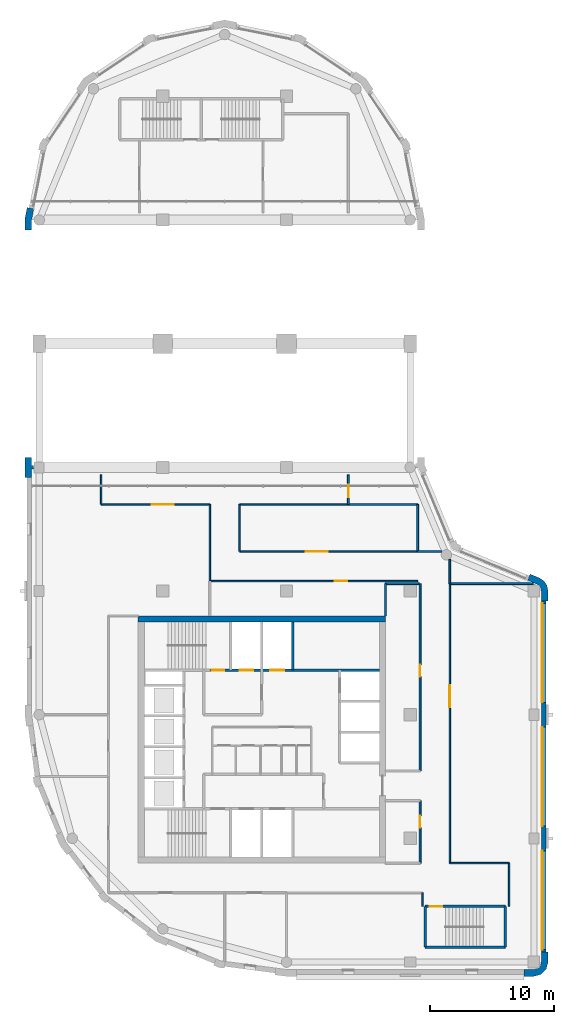
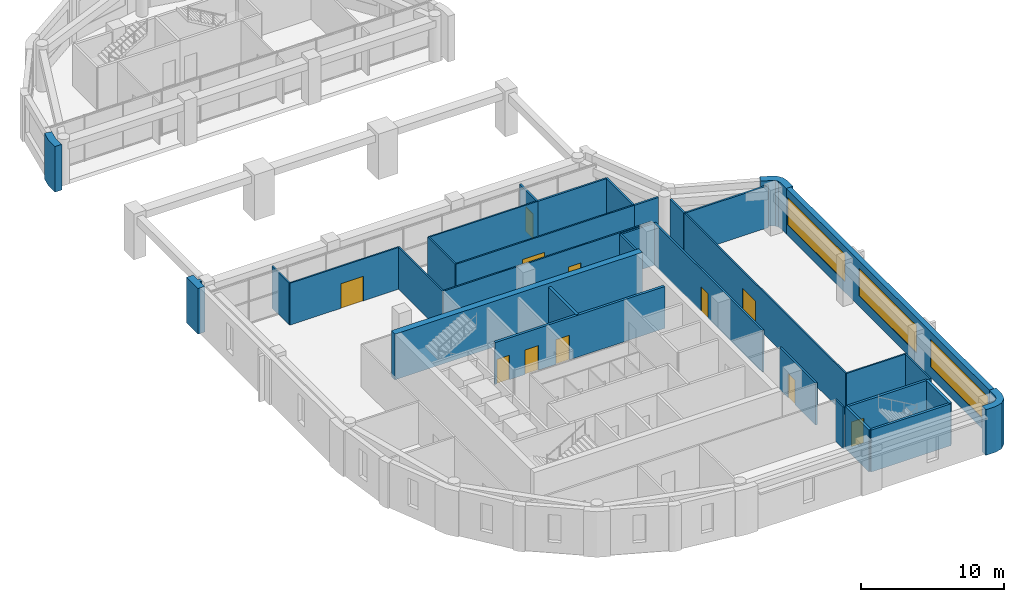
# One storey, part 7 of 11: 33 walls, 11 doors, 3 windows, 14 openings.
"""IFC4 building model written with IfcOpenShell, lengths in metres."""

from ifc_helpers import new_model, si_unit, direction, frame, frame_2d, origin, place, context, subcontext, project, spatial, polyline, rectangle, outline, extrude, material, layer, layer_set, type_object, element, fill, save


model = new_model("IFC4")

# Units and contexts
model_context = context("Model", 3, precision=1e-05, world=origin(), true_north=direction((0.0, 1.0)))
body_context = subcontext(model_context, "Body", "Model", "MODEL_VIEW")
ifc_project = project(units=[si_unit("LENGTHUNIT", "METRE"), si_unit("AREAUNIT", "SQUARE_METRE"), si_unit("VOLUMEUNIT", "CUBIC_METRE"), si_unit("PLANEANGLEUNIT", "RADIAN"), si_unit("MASSUNIT", "GRAM", prefix="KILO")], contexts=[model_context])

# Site, building, storey
site_placement = place(None, origin())
site = spatial("IfcSite", under=ifc_project, at=site_placement, CompositionType="ELEMENT")
building_placement = place(site_placement, origin())
building = spatial("IfcBuilding", under=site, at=building_placement, Name="Qaws Garden Tower", CompositionType="ELEMENT")
storey_placement = place(building_placement, frame((0.0, 0.0, 321.60009765625)))
storey = spatial("IfcBuildingStorey", under=building, at=storey_placement, Name="L78", CompositionType="ELEMENT", Elevation=321.60009765625)

# Walls
ifc_material_1 = material(Name="Clay facing brick masonry", Category="masonry")
ifc_layer_1 = layer(ifc_material_1, 0.550048828125)
ifc_layer_set_1 = layer_set([ifc_layer_1], Name="Clay facing brick masonry")
wall_type_1 = type_object("IfcWallType", Name="Brick corner pier 550 x 2400", PredefinedType="SOLIDWALL", material=ifc_layer_set_1)
placement = place(storey_placement, origin())
element("IfcWall", 1, at=placement, inside=storey, type_object=wall_type_1, Name="E-L78-pier-02", PredefinedType="SOLIDWALL", context=body_context, shape_type="SweptSolid", body=[
    extrude(outline(polyline([(39.199951171875, -1.0), (39.199951171875, -1.14990234375), (40.0, -1.14990234375), (40.574951171875, -0.995849609375), (40.995849609375, -0.574951171875), (41.14990234375, 0.0), (41.14990234375, 0.800048828125), (41.0, 0.800048828125), (40.60009765625, 0.800048828125), (40.60009765625, 0.0), (40.51953125, -0.300048828125), (40.300048828125, -0.51953125), (40.0, -0.60009765625), (39.199951171875, -0.60009765625), (39.199951171875, -1.0)])), origin(), (0.0, 0.0, 1.0), 3.89990234375),
])
element("IfcWall", 2, at=placement, inside=storey, type_object=wall_type_1, Name="E-L78-pier-05", PredefinedType="SOLIDWALL", context=body_context, shape_type="SweptSolid", body=[
    extrude(outline(polyline([(41.0, 29.199951171875), (41.14990234375, 29.199951171875), (41.14990234375, 30.0), (41.0625, 30.440185546875), (40.813232421875, 30.813232421875), (40.440185546875, 31.0625), (39.700927734375, 31.36865234375), (39.6435546875, 31.22998046875), (39.490478515625, 30.860595703125), (40.2294921875, 30.554443359375), (40.42431640625, 30.42431640625), (40.554443359375, 30.2294921875), (40.60009765625, 30.0), (40.60009765625, 29.199951171875), (41.0, 29.199951171875)])), origin(), (0.0, 0.0, 1.0), 3.89990234375),
])

# Wall, openings, windows
ifc_material_2 = material(Name="Clay facing brick masonry", Category="masonry")
ifc_layer_2 = layer(ifc_material_2, 0.39990234375)
ifc_layer_set_2 = layer_set([ifc_layer_2], Name="Clay facing brick masonry")
wall_type_2 = type_object("IfcWallType", Name="Brick infill wall 400", PredefinedType="SOLIDWALL", material=ifc_layer_set_2)
wall_3_placement = place(storey_placement, frame((40.800048828125, 0.800048828125, 0.0), z_axis=(0.0, 0.0, 1.0), x_axis=(0.0, 1.0, 0.0)))
wall_3 = element("IfcWall", 3, at=wall_3_placement, inside=storey, type_object=wall_type_2, Name="E-L78-infill-02", PredefinedType="SOLIDWALL", context=body_context, shape_type="SweptSolid", body=[
    extrude(rectangle(XDim=28.39990234375, YDim=0.39990234375, at=frame_2d((14.199951171875, 0.0))), origin(), (0.0, 0.0, 1.0), 3.89990234375),
])
opening_1_placement = place(wall_3_placement, frame((0.199951171875, 0.0, 0.89990234375)))
opening_1 = element("IfcOpeningElement", 4, at=opening_1_placement, cuts=wall_3, Name="Opening W01", PredefinedType="OPENING", context=body_context, shape_type="SweptSolid", body=[
    extrude(rectangle(XDim=8.0, YDim=2.35009765625, at=frame_2d((4.0, 1.175048828125))), frame((0.0, 0.2099609375, 0.0), z_axis=(0.0, -1.0, 0.0), x_axis=(1.0, 0.0, 0.0)), (0.0, 0.0, 1.0), 0.419921875),
])
opening_2_placement = place(wall_3_placement, frame((10.199951171875, 0.0, 0.89990234375)))
opening_2 = element("IfcOpeningElement", 5, at=opening_2_placement, cuts=wall_3, Name="Opening W01", PredefinedType="OPENING", context=body_context, shape_type="SweptSolid", body=[
    extrude(rectangle(XDim=8.0, YDim=2.35009765625, at=frame_2d((4.0, 1.175048828125))), frame((0.0, 0.2099609375, 0.0), z_axis=(0.0, -1.0, 0.0), x_axis=(1.0, 0.0, 0.0)), (0.0, 0.0, 1.0), 0.419921875),
])
opening_3_placement = place(wall_3_placement, frame((20.199951171875, 0.0, 0.89990234375)))
opening_3 = element("IfcOpeningElement", 6, at=opening_3_placement, cuts=wall_3, Name="Opening W01", PredefinedType="OPENING", context=body_context, shape_type="SweptSolid", body=[
    extrude(rectangle(XDim=8.0, YDim=2.35009765625, at=frame_2d((4.0, 1.175048828125))), frame((0.0, 0.2099609375, 0.0), z_axis=(0.0, -1.0, 0.0), x_axis=(1.0, 0.0, 0.0)), (0.0, 0.0, 1.0), 0.419921875),
])
ifc_material_3 = material(Name="Aluminium framed window, clear glazing", Category="aluminium")
window_type = type_object("IfcWindowType", Name="Ribbon window 8000 x 2350", PartitioningType="DOUBLE_PANEL_VERTICAL", PredefinedType="WINDOW", material=ifc_material_3)
window_1_placement = place(opening_1_placement, origin())
window_1 = element("IfcWindow", 7, at=window_1_placement, inside=storey, type_object=window_type, Name="E-L78-window-02-0", OverallHeight=2.35009765625, OverallWidth=8.0, PartitioningType="SINGLE_PANEL", PredefinedType="WINDOW", context=body_context, shape_type="SweptSolid", body=[
    extrude(rectangle(XDim=8.0, YDim=2.35009765625, at=frame_2d((4.0, 1.175048828125))), frame((0.0, 0.159912109375, 0.0), z_axis=(0.0, -1.0, 0.0), x_axis=(1.0, 0.0, 0.0)), (0.0, 0.0, 1.0), 0.06005859375),
])
fill(opening_1, window_1)
window_2_placement = place(opening_2_placement, origin())
window_2 = element("IfcWindow", 8, at=window_2_placement, inside=storey, type_object=window_type, Name="E-L78-window-03-0", OverallHeight=2.35009765625, OverallWidth=8.0, PartitioningType="SINGLE_PANEL", PredefinedType="WINDOW", context=body_context, shape_type="SweptSolid", body=[
    extrude(rectangle(XDim=8.0, YDim=2.35009765625, at=frame_2d((4.0, 1.175048828125))), frame((0.0, 0.159912109375, 0.0), z_axis=(0.0, -1.0, 0.0), x_axis=(1.0, 0.0, 0.0)), (0.0, 0.0, 1.0), 0.06005859375),
])
fill(opening_2, window_2)
window_3_placement = place(opening_3_placement, origin())
window_3 = element("IfcWindow", 9, at=window_3_placement, inside=storey, type_object=window_type, Name="E-L78-window-04-0", OverallHeight=2.35009765625, OverallWidth=8.0, PartitioningType="SINGLE_PANEL", PredefinedType="WINDOW", context=body_context, shape_type="SweptSolid", body=[
    extrude(rectangle(XDim=8.0, YDim=2.35009765625, at=frame_2d((4.0, 1.175048828125))), frame((0.0, 0.159912109375, 0.0), z_axis=(0.0, -1.0, 0.0), x_axis=(1.0, 0.0, 0.0)), (0.0, 0.0, 1.0), 0.06005859375),
])
fill(opening_3, window_3)

# Walls
ifc_material_4 = material(Name="Clay facing brick masonry", Category="masonry")
ifc_layer_3 = layer(ifc_material_4, 0.550048828125)
ifc_layer_set_3 = layer_set([ifc_layer_3], Name="Clay facing brick masonry")
wall_type_3 = type_object("IfcWallType", Name="Brick pier 550 x 1600", PredefinedType="SOLIDWALL", material=ifc_layer_set_3)
element("IfcWall", 10, at=placement, inside=storey, type_object=wall_type_3, Name="E-L78-pier-17", PredefinedType="SOLIDWALL", context=body_context, shape_type="SweptSolid", body=[
    extrude(outline(polyline([(-0.82470703125, 60.979736328125), (-0.971923828125, 61.009033203125), (-1.14990234375, 60.11328125), (-1.14990234375, 59.199951171875), (-1.0, 59.199951171875), (-0.60009765625, 59.199951171875), (-0.60009765625, 60.05908203125), (-0.432373046875, 60.901611328125), (-0.82470703125, 60.979736328125)])), origin(), (0.0, 0.0, 1.0), 3.89990234375),
])
element("IfcWall", 11, at=placement, inside=storey, type_object=wall_type_3, Name="E-L78-pier-19", PredefinedType="SOLIDWALL", context=body_context, shape_type="SweptSolid", body=[
    extrude(outline(polyline([(-0.60009765625, 39.199951171875), (-0.60009765625, 39.85009765625), (-0.449951171875, 39.85009765625), (-0.449951171875, 40.14990234375), (-0.60009765625, 40.14990234375), (-0.60009765625, 40.800048828125), (-1.0, 40.800048828125), (-1.14990234375, 40.800048828125), (-1.14990234375, 40.0), (-1.14990234375, 39.199951171875), (-1.0, 39.199951171875), (-0.60009765625, 39.199951171875)])), origin(), (0.0, 0.0, 1.0), 3.89990234375),
])
ifc_material_5 = material(Name="Concrete C60", Category="concrete")
ifc_layer_4 = layer(ifc_material_5, 0.199951171875)
ifc_layer_set_4 = layer_set([ifc_layer_4], Name="Concrete C60")
wall_type_4 = type_object("IfcWallType", Name="Core shaft wall 200 C60", PredefinedType="SHEAR", material=ifc_layer_set_4)
wall_6_placement = place(storey_placement, frame((31.199951171875, 1.199951171875, 0.0), z_axis=(0.0, 0.0, 1.0), x_axis=(1.0, 0.0, 0.0)))
element("IfcWall", 12, at=wall_6_placement, inside=storey, type_object=wall_type_4, Name="Shaft wall", PredefinedType="SHEAR", context=body_context, shape_type="SweptSolid", body=[
    extrude(rectangle(XDim=6.5, YDim=0.199951171875, at=frame_2d((3.25, 0.0))), origin(), (0.0, 0.0, 1.0), 3.579833984375),
])

# Wall, opening, door
wall_7_placement = place(storey_placement, frame((31.199951171875, 4.5, 0.0), z_axis=(0.0, 0.0, 1.0), x_axis=(1.0, 0.0, 0.0)))
wall_7 = element("IfcWall", 13, at=wall_7_placement, inside=storey, type_object=wall_type_4, Name="Shaft wall", PredefinedType="SHEAR", context=body_context, shape_type="SweptSolid", body=[
    extrude(rectangle(XDim=6.5, YDim=0.199951171875, at=frame_2d((3.25, 0.0))), origin(), (0.0, 0.0, 1.0), 3.579833984375),
])
opening_4_placement = place(wall_7_placement, frame((0.375, 0.0, 0.0)))
opening_4 = element("IfcOpeningElement", 14, at=opening_4_placement, cuts=wall_7, Name="Opening SD12", PredefinedType="OPENING", context=body_context, shape_type="SweptSolid", body=[
    extrude(rectangle(XDim=1.0, YDim=2.10009765625, at=frame_2d((0.5, 1.050048828125))), frame((0.0, 0.10986328125, 0.0), z_axis=(0.0, -1.0, 0.0), x_axis=(1.0, 0.0, 0.0)), (0.0, 0.0, 1.0), 0.219970703125),
])
ifc_material_6 = material(Name="Steel S235", Category="steel")
door_type_1 = type_object("IfcDoorType", Name="Stair door 1000x2100", OperationType="SINGLE_SWING_RIGHT", PredefinedType="DOOR", material=ifc_material_6)
door_1_placement = place(opening_4_placement, frame((1.0, 0.0, 0.0), z_axis=(0.0, 0.0, 1.0), x_axis=(-1.0, 0.0, 0.0)))
door_1 = element("IfcDoor", 15, at=door_1_placement, inside=storey, type_object=door_type_1, Name="Stair 5 door", OperationType="SINGLE_SWING_RIGHT", OverallHeight=2.10009765625, OverallWidth=1.0, PredefinedType="DOOR", context=body_context, shape_type="SweptSolid", body=[
    extrude(rectangle(XDim=1.0, YDim=2.10009765625, at=frame_2d((0.5, 1.050048828125))), frame((0.0, 0.02490234375, 0.0), z_axis=(0.0, -1.0, 0.0), x_axis=(1.0, 0.0, 0.0)), (0.0, 0.0, 1.0), 0.050048828125),
])
fill(opening_4, door_1)

# Wall, openings, doors
wall_8_placement = place(storey_placement, frame((13.800048828125, 23.60009765625, 0.0), z_axis=(0.0, 0.0, 1.0), x_axis=(1.0, 0.0, 0.0)))
wall_8 = element("IfcWall", 16, at=wall_8_placement, inside=storey, type_object=wall_type_4, Name="Shaft wall", PredefinedType="SHEAR", context=body_context, shape_type="SweptSolid", body=[
    extrude(rectangle(XDim=13.699951171875, YDim=0.199951171875, at=frame_2d((6.85009765625, 0.0))), origin(), (0.0, 0.0, 1.0), 3.579833984375),
])
opening_5_placement = place(wall_8_placement, frame((2.39990234375, 0.0, 0.0)))
opening_5 = element("IfcOpeningElement", 17, at=opening_5_placement, cuts=wall_8, Name="Opening LD08", PredefinedType="OPENING", context=body_context, shape_type="SweptSolid", body=[
    extrude(rectangle(XDim=1.10009765625, YDim=2.10009765625, at=frame_2d((0.550048828125, 1.050048828125))), frame((0.0, 0.10986328125, 0.0), z_axis=(0.0, -1.0, 0.0), x_axis=(1.0, 0.0, 0.0)), (0.0, 0.0, 1.0), 0.219970703125),
])
opening_6_placement = place(wall_8_placement, frame((4.89990234375, 0.0, 0.0)))
opening_6 = element("IfcOpeningElement", 18, at=opening_6_placement, cuts=wall_8, Name="Opening LD09", PredefinedType="OPENING", context=body_context, shape_type="SweptSolid", body=[
    extrude(rectangle(XDim=1.10009765625, YDim=2.10009765625, at=frame_2d((0.550048828125, 1.050048828125))), frame((0.0, 0.10986328125, 0.0), z_axis=(0.0, -1.0, 0.0), x_axis=(1.0, 0.0, 0.0)), (0.0, 0.0, 1.0), 0.219970703125),
])
opening_7_placement = place(wall_8_placement, frame((0.14990234375, 0.0, 0.0)))
opening_7 = element("IfcOpeningElement", 19, at=opening_7_placement, cuts=wall_8, Name="Opening SD11", PredefinedType="OPENING", context=body_context, shape_type="SweptSolid", body=[
    extrude(rectangle(XDim=1.0, YDim=2.10009765625, at=frame_2d((0.5, 1.050048828125))), frame((0.0, 0.10986328125, 0.0), z_axis=(0.0, -1.0, 0.0), x_axis=(1.0, 0.0, 0.0)), (0.0, 0.0, 1.0), 0.219970703125),
])
ifc_material_7 = material(Name="Steel S235", Category="steel")
door_type_2 = type_object("IfcDoorType", Name="Landing door 1100x2100", OperationType="DOUBLE_DOOR_SLIDING", PredefinedType="DOOR", material=ifc_material_7)
door_2_placement = place(opening_5_placement, origin())
door_2 = element("IfcDoor", 20, at=door_2_placement, inside=storey, type_object=door_type_2, Name="Lift FF3 landing door", OperationType="DOUBLE_DOOR_SLIDING", OverallHeight=2.10009765625, OverallWidth=1.10009765625, PredefinedType="DOOR", context=body_context, shape_type="SweptSolid", body=[
    extrude(rectangle(XDim=1.10009765625, YDim=2.10009765625, at=frame_2d((0.550048828125, 1.050048828125))), frame((0.0, 0.02490234375, 0.0), z_axis=(0.0, -1.0, 0.0), x_axis=(1.0, 0.0, 0.0)), (0.0, 0.0, 1.0), 0.050048828125),
])
fill(opening_5, door_2)
door_3_placement = place(opening_6_placement, origin())
door_3 = element("IfcDoor", 21, at=door_3_placement, inside=storey, type_object=door_type_2, Name="Lift SV2 landing door", OperationType="DOUBLE_DOOR_SLIDING", OverallHeight=2.10009765625, OverallWidth=1.10009765625, PredefinedType="DOOR", context=body_context, shape_type="SweptSolid", body=[
    extrude(rectangle(XDim=1.10009765625, YDim=2.10009765625, at=frame_2d((0.550048828125, 1.050048828125))), frame((0.0, 0.02490234375, 0.0), z_axis=(0.0, -1.0, 0.0), x_axis=(1.0, 0.0, 0.0)), (0.0, 0.0, 1.0), 0.050048828125),
])
fill(opening_6, door_3)
door_4_placement = place(opening_7_placement, origin())
door_4 = element("IfcDoor", 22, at=door_4_placement, inside=storey, type_object=door_type_1, Name="Stair 4 door", OperationType="SINGLE_SWING_RIGHT", OverallHeight=2.10009765625, OverallWidth=1.0, PredefinedType="DOOR", context=body_context, shape_type="SweptSolid", body=[
    extrude(rectangle(XDim=1.0, YDim=2.10009765625, at=frame_2d((0.5, 1.050048828125))), frame((0.0, 0.02490234375, 0.0), z_axis=(0.0, -1.0, 0.0), x_axis=(1.0, 0.0, 0.0)), (0.0, 0.0, 1.0), 0.050048828125),
])
fill(opening_7, door_4)

# Walls
wall_9_placement = place(storey_placement, frame((20.5, 23.60009765625, 0.0), z_axis=(0.0, 0.0, 1.0), x_axis=(0.0, 1.0, 0.0)))
element("IfcWall", 23, at=wall_9_placement, inside=storey, type_object=wall_type_4, Name="Shaft wall", PredefinedType="SHEAR", context=body_context, shape_type="SweptSolid", body=[
    extrude(rectangle(XDim=3.89990234375, YDim=0.199951171875, at=frame_2d((1.949951171875, 0.0))), origin(), (0.0, 0.0, 1.0), 3.579833984375),
])
for number, where, z_axis, x_axis, name in (
    (24, (31.199951171875, 1.199951171875, 0.0), (0.0, 0.0, 1.0), (0.0, 1.0, 0.0), "Shaft wall"),
    (25, (37.699951171875, 1.199951171875, 0.0), (0.0, 0.0, 1.0), (0.0, 1.0, 0.0), "Shaft wall"),
):
    element("IfcWall", number, at=place(storey_placement, frame(where, z_axis=z_axis, x_axis=x_axis)), inside=storey, type_object=wall_type_4, Name=name, PredefinedType="SHEAR", context=body_context, shape_type="SweptSolid", body=[
        extrude(rectangle(XDim=3.300048828125, YDim=0.199951171875, at=frame_2d((1.64990234375, 0.0))), origin(), (0.0, 0.0, 1.0), 3.579833984375),
    ])
ifc_material_8 = material(Name="Concrete C60", Category="concrete")
ifc_layer_5 = layer(ifc_material_8, 0.5)
ifc_layer_set_5 = layer_set([ifc_layer_5], Name="Concrete C60")
wall_type_5 = type_object("IfcWallType", Name="Core wall 500 C60", PredefinedType="SHEAR", material=ifc_layer_set_5)
wall_10_placement = place(storey_placement, frame((28.0, 27.75, 0.0), z_axis=(0.0, 0.0, 1.0), x_axis=(-1.0, 0.0, 0.0)))
element("IfcWall", 26, at=wall_10_placement, inside=storey, type_object=wall_type_5, Name="Core wall L78 north", PredefinedType="SHEAR", context=body_context, shape_type="SweptSolid", body=[
    extrude(rectangle(XDim=20.0, YDim=0.5, at=frame_2d((10.0, 0.0))), origin(), (0.0, 0.0, 1.0), 3.89990234375),
])
ifc_material_9 = material(Name="Glass and aluminium framing", Category="aluminium")
ifc_layer_6 = layer(ifc_material_9, 0.1201171875)
ifc_layer_set_6 = layer_set([ifc_layer_6], Name="Glass and aluminium framing")
wall_type_6 = type_object("IfcWallType", Name="GLAZED PARTITION 120 EI 30", PredefinedType="PARTITIONING", material=ifc_layer_set_6)
wall_11_placement = place(storey_placement, frame((5.0, 37.0, 0.0), z_axis=(0.0, 0.0, 1.0), x_axis=(0.0, 1.0, 0.0)))
element("IfcWall", 27, at=wall_11_placement, inside=storey, type_object=wall_type_6, Name="O-L78-wall-023", PredefinedType="PARTITIONING", context=body_context, shape_type="SweptSolid", body=[
    extrude(rectangle(XDim=2.39990234375, YDim=0.1201171875, at=frame_2d((1.199951171875, 0.0))), origin(), (0.0, 0.0, 1.0), 3.579833984375),
])
wall_12_placement = place(storey_placement, frame((13.800048828125, 30.800048828125, 0.0), z_axis=(0.0, 0.0, 1.0), x_axis=(0.0, 1.0, 0.0)))
element("IfcWall", 28, at=wall_12_placement, inside=storey, type_object=wall_type_6, Name="O-L78-wall-027", PredefinedType="PARTITIONING", context=body_context, shape_type="SweptSolid", body=[
    extrude(rectangle(XDim=6.199951171875, YDim=0.1201171875, at=frame_2d((3.10009765625, 0.0))), origin(), (0.0, 0.0, 1.0), 3.579833984375),
])
wall_13_placement = place(storey_placement, frame((16.199951171875, 33.199951171875, 0.0), z_axis=(0.0, 0.0, 1.0), x_axis=(0.0, 1.0, 0.0)))
element("IfcWall", 29, at=wall_13_placement, inside=storey, type_object=wall_type_6, Name="O-L78-wall-028", PredefinedType="PARTITIONING", context=body_context, shape_type="SweptSolid", body=[
    extrude(rectangle(XDim=3.800048828125, YDim=0.1201171875, at=frame_2d((1.89990234375, 0.0))), origin(), (0.0, 0.0, 1.0), 3.579833984375),
])
wall_14_placement = place(storey_placement, frame((31.0, 4.5, 0.0), z_axis=(0.0, 0.0, 1.0), x_axis=(0.0, 1.0, 0.0)))
element("IfcWall", 30, at=wall_14_placement, inside=storey, type_object=wall_type_6, Name="O-L78-wall-030", PredefinedType="PARTITIONING", context=body_context, shape_type="SweptSolid", body=[
    extrude(rectangle(XDim=1.10009765625, YDim=0.1201171875, at=frame_2d((0.550048828125, 0.0))), origin(), (0.0, 0.0, 1.0), 3.579833984375),
])

# Wall, opening, door
wall_15_placement = place(storey_placement, frame((33.199951171875, 8.0, 0.0), z_axis=(0.0, 0.0, 1.0), x_axis=(0.0, 1.0, 0.0)))
wall_15 = element("IfcWall", 31, at=wall_15_placement, inside=storey, type_object=wall_type_6, Name="O-L78-wall-031", PredefinedType="PARTITIONING", context=body_context, shape_type="SweptSolid", body=[
    extrude(rectangle(XDim=22.60009765625, YDim=0.1201171875, at=frame_2d((11.300048828125, 0.0))), origin(), (0.0, 0.0, 1.0), 3.579833984375),
])
opening_8_placement = place(wall_15_placement, frame((12.60009765625, 0.0, 0.0)))
opening_8 = element("IfcOpeningElement", 32, at=opening_8_placement, cuts=wall_15, Name="Opening C809", PredefinedType="OPENING", context=body_context, shape_type="SweptSolid", body=[
    extrude(rectangle(XDim=1.800048828125, YDim=2.10009765625, at=frame_2d((0.89990234375, 1.050048828125))), frame((0.0, 0.070068359375, 0.0), z_axis=(0.0, -1.0, 0.0), x_axis=(1.0, 0.0, 0.0)), (0.0, 0.0, 1.0), 0.14013671875),
])
ifc_material_10 = material(Name="Timber door leaf", Category="wood")
door_type_3 = type_object("IfcDoorType", Name="DOUBLE DOOR 1800 X 2100", OperationType="DOUBLE_DOOR_SINGLE_SWING", PredefinedType="DOOR", material=ifc_material_10)
door_5_placement = place(opening_8_placement, frame((1.800048828125, 0.0, 0.0), z_axis=(0.0, 0.0, 1.0), x_axis=(-1.0, 0.0, 0.0)))
door_5 = element("IfcDoor", 33, at=door_5_placement, inside=storey, type_object=door_type_3, Name="O-L78-door-009", OperationType="DOUBLE_DOOR_SINGLE_SWING", OverallHeight=2.10009765625, OverallWidth=1.800048828125, PredefinedType="DOOR", context=body_context, shape_type="SweptSolid", body=[
    extrude(rectangle(XDim=1.800048828125, YDim=2.10009765625, at=frame_2d((0.89990234375, 1.050048828125))), frame((0.0, 0.02490234375, 0.0), z_axis=(0.0, -1.0, 0.0), x_axis=(1.0, 0.0, 0.0)), (0.0, 0.0, 1.0), 0.050048828125),
])
fill(opening_8, door_5)

# Walls
wall_16_placement = place(storey_placement, frame((38.0, 4.5, 0.0), z_axis=(0.0, 0.0, 1.0), x_axis=(0.0, 1.0, 0.0)))
element("IfcWall", 34, at=wall_16_placement, inside=storey, type_object=wall_type_6, Name="O-L78-wall-032", PredefinedType="PARTITIONING", context=body_context, shape_type="SweptSolid", body=[
    extrude(rectangle(XDim=3.5, YDim=0.1201171875, at=frame_2d((1.75, 0.0))), origin(), (0.0, 0.0, 1.0), 3.579833984375),
])
wall_17_placement = place(storey_placement, frame((33.199951171875, 8.0, 0.0), z_axis=(0.0, 0.0, 1.0), x_axis=(1.0, 0.0, 0.0)))
element("IfcWall", 35, at=wall_17_placement, inside=storey, type_object=wall_type_6, Name="O-L78-wall-034", PredefinedType="PARTITIONING", context=body_context, shape_type="SweptSolid", body=[
    extrude(rectangle(XDim=4.800048828125, YDim=0.1201171875, at=frame_2d((2.39990234375, 0.0))), origin(), (0.0, 0.0, 1.0), 3.579833984375),
])

# Wall, opening, door
wall_18_placement = place(storey_placement, frame((13.802001953125, 30.800048828125, 0.0), z_axis=(0.0, 0.0, 1.0), x_axis=(1.0, 0.0, 0.0)))
wall_18 = element("IfcWall", 36, at=wall_18_placement, inside=storey, type_object=wall_type_6, Name="O-L78-wall-036", PredefinedType="PARTITIONING", context=body_context, shape_type="SweptSolid", body=[
    extrude(rectangle(XDim=16.798095703125, YDim=0.1201171875, at=frame_2d((8.39892578125, 0.0))), origin(), (0.0, 0.0, 1.0), 3.579833984375),
])
opening_9_placement = place(wall_18_placement, frame((10.10009765625, 0.0, 0.0)))
opening_9 = element("IfcOpeningElement", 37, at=opening_9_placement, cuts=wall_18, Name="Opening C805", PredefinedType="OPENING", context=body_context, shape_type="SweptSolid", body=[
    extrude(rectangle(XDim=1.0, YDim=2.10009765625, at=frame_2d((0.5, 1.050048828125))), frame((0.0, 0.070068359375, 0.0), z_axis=(0.0, -1.0, 0.0), x_axis=(1.0, 0.0, 0.0)), (0.0, 0.0, 1.0), 0.14013671875),
])
ifc_material_11 = material(Name="Timber door leaf", Category="wood")
door_type_4 = type_object("IfcDoorType", Name="TENANCY ENTRANCE DOOR 1000 X 2100", OperationType="SINGLE_SWING_LEFT", PredefinedType="DOOR", material=ifc_material_11)
door_6_placement = place(opening_9_placement, frame((1.0, 0.0, 0.0), z_axis=(0.0, 0.0, 1.0), x_axis=(-1.0, 0.0, 0.0)))
door_6 = element("IfcDoor", 38, at=door_6_placement, inside=storey, type_object=door_type_4, Name="O-L78-door-005", OperationType="SINGLE_SWING_LEFT", OverallHeight=2.10009765625, OverallWidth=1.0, PredefinedType="DOOR", context=body_context, shape_type="SweptSolid", body=[
    extrude(rectangle(XDim=1.0, YDim=2.10009765625, at=frame_2d((0.5, 1.050048828125))), frame((0.0, 0.02490234375, 0.0), z_axis=(0.0, -1.0, 0.0), x_axis=(1.0, 0.0, 0.0)), (0.0, 0.0, 1.0), 0.050048828125),
])
fill(opening_9, door_6)

wall_19_placement = place(storey_placement, frame((16.199951171875, 33.199951171875, 0.0), z_axis=(0.0, 0.0, 1.0), x_axis=(1.0, 0.0, 0.0)))
wall_19 = element("IfcWall", 39, at=wall_19_placement, inside=storey, type_object=wall_type_6, Name="O-L78-wall-037", PredefinedType="PARTITIONING", context=body_context, shape_type="SweptSolid", body=[
    extrude(rectangle(XDim=14.400146484375, YDim=0.1201171875, at=frame_2d((7.2001953125, 0.0))), origin(), (0.0, 0.0, 1.0), 3.579833984375),
])
opening_10_placement = place(wall_19_placement, frame((5.35009765625, 0.0, 0.0)))
opening_10 = element("IfcOpeningElement", 40, at=opening_10_placement, cuts=wall_19, Name="Opening C812", PredefinedType="OPENING", context=body_context, shape_type="SweptSolid", body=[
    extrude(rectangle(XDim=1.800048828125, YDim=2.10009765625, at=frame_2d((0.89990234375, 1.050048828125))), frame((0.0, 0.070068359375, 0.0), z_axis=(0.0, -1.0, 0.0), x_axis=(1.0, 0.0, 0.0)), (0.0, 0.0, 1.0), 0.14013671875),
])
door_7_placement = place(opening_10_placement, origin())
door_7 = element("IfcDoor", 41, at=door_7_placement, inside=storey, type_object=door_type_3, Name="O-L78-door-012", OperationType="DOUBLE_DOOR_SINGLE_SWING", OverallHeight=2.10009765625, OverallWidth=1.800048828125, PredefinedType="DOOR", context=body_context, shape_type="SweptSolid", body=[
    extrude(rectangle(XDim=1.800048828125, YDim=2.10009765625, at=frame_2d((0.89990234375, 1.050048828125))), frame((0.0, 0.02490234375, 0.0), z_axis=(0.0, -1.0, 0.0), x_axis=(1.0, 0.0, 0.0)), (0.0, 0.0, 1.0), 0.050048828125),
])
fill(opening_10, door_7)

wall_20_placement = place(storey_placement, frame((5.0, 37.0, 0.0), z_axis=(0.0, 0.0, 1.0), x_axis=(1.0, 0.0, 0.0)))
wall_20 = element("IfcWall", 42, at=wall_20_placement, inside=storey, type_object=wall_type_6, Name="O-L78-wall-038", PredefinedType="PARTITIONING", context=body_context, shape_type="SweptSolid", body=[
    extrude(rectangle(XDim=8.800048828125, YDim=0.1201171875, at=frame_2d((4.39990234375, 0.0))), origin(), (0.0, 0.0, 1.0), 3.579833984375),
])
opening_11_placement = place(wall_20_placement, frame((4.10009765625, 0.0, 0.0)))
opening_11 = element("IfcOpeningElement", 43, at=opening_11_placement, cuts=wall_20, Name="Opening C811", PredefinedType="OPENING", context=body_context, shape_type="SweptSolid", body=[
    extrude(rectangle(XDim=1.800048828125, YDim=2.10009765625, at=frame_2d((0.89990234375, 1.050048828125))), frame((0.0, 0.070068359375, 0.0), z_axis=(0.0, -1.0, 0.0), x_axis=(1.0, 0.0, 0.0)), (0.0, 0.0, 1.0), 0.14013671875),
])
door_8_placement = place(opening_11_placement, frame((1.800048828125, 0.0, 0.0), z_axis=(0.0, 0.0, 1.0), x_axis=(-1.0, 0.0, 0.0)))
door_8 = element("IfcDoor", 44, at=door_8_placement, inside=storey, type_object=door_type_3, Name="O-L78-door-011", OperationType="DOUBLE_DOOR_SINGLE_SWING", OverallHeight=2.10009765625, OverallWidth=1.800048828125, PredefinedType="DOOR", context=body_context, shape_type="SweptSolid", body=[
    extrude(rectangle(XDim=1.800048828125, YDim=2.10009765625, at=frame_2d((0.89990234375, 1.050048828125))), frame((0.0, 0.02490234375, 0.0), z_axis=(0.0, -1.0, 0.0), x_axis=(1.0, 0.0, 0.0)), (0.0, 0.0, 1.0), 0.050048828125),
])
fill(opening_11, door_8)

# Wall
wall_21_placement = place(storey_placement, frame((16.199951171875, 37.0, 0.0), z_axis=(0.0, 0.0, 1.0), x_axis=(1.0, 0.0, 0.0)))
element("IfcWall", 45, at=wall_21_placement, inside=storey, type_object=wall_type_6, Name="O-L78-wall-039", PredefinedType="PARTITIONING", context=body_context, shape_type="SweptSolid", body=[
    extrude(rectangle(XDim=8.800048828125, YDim=0.1201171875, at=frame_2d((4.39990234375, 0.0))), origin(), (0.0, 0.0, 1.0), 3.579833984375),
])

# Wall, opening, door
ifc_material_12 = material(Name="Gypsum board partition")
ifc_layer_7 = layer(ifc_material_12, 0.14990234375)
ifc_layer_set_7 = layer_set([ifc_layer_7], Name="Gypsum board partition")
wall_type_7 = type_object("IfcWallType", Name="PARTITION 150 EI 60", PredefinedType="PARTITIONING", material=ifc_layer_set_7)
wall_22_placement = place(storey_placement, frame((25.0, 37.0, 0.0), z_axis=(0.0, 0.0, 1.0), x_axis=(0.0, 1.0, 0.0)))
wall_22 = element("IfcWall", 46, at=wall_22_placement, inside=storey, type_object=wall_type_7, Name="O-L78-wall-005", PredefinedType="PARTITIONING", context=body_context, shape_type="SweptSolid", body=[
    extrude(rectangle(XDim=2.39990234375, YDim=0.14990234375, at=frame_2d((1.199951171875, 0.0))), origin(), (0.0, 0.0, 1.0), 3.579833984375),
])
opening_12_placement = place(wall_22_placement, frame((0.60009765625, 0.0, 0.0)))
opening_12 = element("IfcOpeningElement", 47, at=opening_12_placement, cuts=wall_22, Name="Opening C804", PredefinedType="OPENING", context=body_context, shape_type="SweptSolid", body=[
    extrude(rectangle(XDim=1.0, YDim=2.10009765625, at=frame_2d((0.5, 1.050048828125))), frame((0.0, 0.0849609375, 0.0), z_axis=(0.0, -1.0, 0.0), x_axis=(1.0, 0.0, 0.0)), (0.0, 0.0, 1.0), 0.169921875),
])
door_9_placement = place(opening_12_placement, frame((1.0, 0.0, 0.0), z_axis=(0.0, 0.0, 1.0), x_axis=(-1.0, 0.0, 0.0)))
door_9 = element("IfcDoor", 48, at=door_9_placement, inside=storey, type_object=door_type_4, Name="O-L78-door-004", OperationType="SINGLE_SWING_RIGHT", OverallHeight=2.10009765625, OverallWidth=1.0, PredefinedType="DOOR", context=body_context, shape_type="SweptSolid", body=[
    extrude(rectangle(XDim=1.0, YDim=2.10009765625, at=frame_2d((0.5, 1.050048828125))), frame((0.0, 0.02490234375, 0.0), z_axis=(0.0, -1.0, 0.0), x_axis=(1.0, 0.0, 0.0)), (0.0, 0.0, 1.0), 0.050048828125),
])
fill(opening_12, door_9)

# Walls
wall_23_placement = place(storey_placement, frame((28.0, 28.0, 0.0), z_axis=(0.0, 0.0, 1.0), x_axis=(0.0, 1.0, 0.0)))
element("IfcWall", 49, at=wall_23_placement, inside=storey, type_object=wall_type_7, Name="O-L78-wall-007", PredefinedType="PARTITIONING", context=body_context, shape_type="SweptSolid", body=[
    extrude(rectangle(XDim=2.597900390625, YDim=0.14990234375, at=frame_2d((1.298828125, 0.0))), origin(), (0.0, 0.0, 1.0), 3.579833984375),
])
wall_24_placement = place(storey_placement, frame((30.60009765625, 33.199951171875, 0.0), z_axis=(0.0, 0.0, 1.0), x_axis=(0.0, 1.0, 0.0)))
element("IfcWall", 50, at=wall_24_placement, inside=storey, type_object=wall_type_7, Name="O-L78-wall-008", PredefinedType="PARTITIONING", context=body_context, shape_type="SweptSolid", body=[
    extrude(rectangle(XDim=3.800048828125, YDim=0.14990234375, at=frame_2d((1.89990234375, 0.0))), origin(), (0.0, 0.0, 1.0), 3.579833984375),
])

# Wall, opening, door
wall_25_placement = place(storey_placement, frame((30.800048828125, 8.0, 0.0), z_axis=(0.0, 0.0, 1.0), x_axis=(0.0, 1.0, 0.0)))
wall_25 = element("IfcWall", 51, at=wall_25_placement, inside=storey, type_object=wall_type_7, Name="O-L78-wall-009", PredefinedType="PARTITIONING", context=body_context, shape_type="SweptSolid", body=[
    extrude(rectangle(XDim=5.050048828125, YDim=0.14990234375, at=frame_2d((2.52490234375, 0.0))), origin(), (0.0, 0.0, 1.0), 3.579833984375),
])
opening_13_placement = place(wall_25_placement, frame((2.85009765625, 0.0, 0.0)))
opening_13 = element("IfcOpeningElement", 52, at=opening_13_placement, cuts=wall_25, Name="Opening C810", PredefinedType="OPENING", context=body_context, shape_type="SweptSolid", body=[
    extrude(rectangle(XDim=1.0, YDim=2.10009765625, at=frame_2d((0.5, 1.050048828125))), frame((0.0, 0.0849609375, 0.0), z_axis=(0.0, -1.0, 0.0), x_axis=(1.0, 0.0, 0.0)), (0.0, 0.0, 1.0), 0.169921875),
])
door_10_placement = place(opening_13_placement, origin())
door_10 = element("IfcDoor", 53, at=door_10_placement, inside=storey, type_object=door_type_4, Name="O-L78-door-010", OperationType="SINGLE_SWING_RIGHT", OverallHeight=2.10009765625, OverallWidth=1.0, PredefinedType="DOOR", context=body_context, shape_type="SweptSolid", body=[
    extrude(rectangle(XDim=1.0, YDim=2.10009765625, at=frame_2d((0.5, 1.050048828125))), frame((0.0, 0.02490234375, 0.0), z_axis=(0.0, -1.0, 0.0), x_axis=(1.0, 0.0, 0.0)), (0.0, 0.0, 1.0), 0.050048828125),
])
fill(opening_13, door_10)

wall_26_placement = place(storey_placement, frame((30.800048828125, 15.449951171875, 0.0), z_axis=(0.0, 0.0, 1.0), x_axis=(0.0, 1.0, 0.0)))
wall_26 = element("IfcWall", 54, at=wall_26_placement, inside=storey, type_object=wall_type_7, Name="O-L78-wall-010", PredefinedType="PARTITIONING", context=body_context, shape_type="SweptSolid", body=[
    extrude(rectangle(XDim=15.150146484375, YDim=0.14990234375, at=frame_2d((7.5751953125, 0.0))), origin(), (0.0, 0.0, 1.0), 3.579833984375),
])
opening_14_placement = place(wall_26_placement, frame((7.60009765625, 0.0, 0.0)))
opening_14 = element("IfcOpeningElement", 55, at=opening_14_placement, cuts=wall_26, Name="Opening C808", PredefinedType="OPENING", context=body_context, shape_type="SweptSolid", body=[
    extrude(rectangle(XDim=1.0, YDim=2.10009765625, at=frame_2d((0.5, 1.050048828125))), frame((0.0, 0.0849609375, 0.0), z_axis=(0.0, -1.0, 0.0), x_axis=(1.0, 0.0, 0.0)), (0.0, 0.0, 1.0), 0.169921875),
])
door_11_placement = place(opening_14_placement, origin())
door_11 = element("IfcDoor", 56, at=door_11_placement, inside=storey, type_object=door_type_4, Name="O-L78-door-008", OperationType="SINGLE_SWING_RIGHT", OverallHeight=2.10009765625, OverallWidth=1.0, PredefinedType="DOOR", context=body_context, shape_type="SweptSolid", body=[
    extrude(rectangle(XDim=1.0, YDim=2.10009765625, at=frame_2d((0.5, 1.050048828125))), frame((0.0, 0.02490234375, 0.0), z_axis=(0.0, -1.0, 0.0), x_axis=(1.0, 0.0, 0.0)), (0.0, 0.0, 1.0), 0.050048828125),
])
fill(opening_14, door_11)

# Walls
wall_27_placement = place(storey_placement, frame((33.199951171875, 30.60009765625, 0.0), z_axis=(0.0, 0.0, 1.0), x_axis=(0.0, 1.0, 0.0)))
element("IfcWall", 57, at=wall_27_placement, inside=storey, type_object=wall_type_7, Name="O-L78-wall-011", PredefinedType="PARTITIONING", context=body_context, shape_type="SweptSolid", body=[
    extrude(rectangle(XDim=1.951904296875, YDim=0.14990234375, at=frame_2d((0.97607421875, 0.0))), origin(), (0.0, 0.0, 1.0), 3.579833984375),
])
wall_28_placement = place(storey_placement, frame((28.001953125, 30.60009765625, 0.0), z_axis=(0.0, 0.0, 1.0), x_axis=(1.0, 0.0, 0.0)))
element("IfcWall", 58, at=wall_28_placement, inside=storey, type_object=wall_type_7, Name="O-L78-wall-018", PredefinedType="PARTITIONING", context=body_context, shape_type="SweptSolid", body=[
    extrude(rectangle(XDim=2.72314453125, YDim=0.14990234375, at=frame_2d((1.361572265625, 0.0))), origin(), (0.0, 0.0, 1.0), 3.579833984375),
])
wall_29_placement = place(storey_placement, frame((33.199951171875, 30.60009765625, 0.0), z_axis=(0.0, 0.0, 1.0), x_axis=(1.0, 0.0, 0.0)))
element("IfcWall", 59, at=wall_29_placement, inside=storey, type_object=wall_type_7, Name="O-L78-wall-019", PredefinedType="PARTITIONING", context=body_context, shape_type="SweptSolid", body=[
    extrude(rectangle(XDim=6.73828125, YDim=0.14990234375, at=frame_2d((3.369140625, 0.0))), origin(), (0.0, 0.0, 1.0), 3.579833984375),
])
wall_30_placement = place(storey_placement, frame((30.60009765625, 33.199951171875, 0.0), z_axis=(0.0, 0.0, 1.0), x_axis=(1.0, 0.0, 0.0)))
element("IfcWall", 60, at=wall_30_placement, inside=storey, type_object=wall_type_7, Name="O-L78-wall-020", PredefinedType="PARTITIONING", context=body_context, shape_type="SweptSolid", body=[
    extrude(rectangle(XDim=1.951904296875, YDim=0.14990234375, at=frame_2d((0.97607421875, 0.0))), origin(), (0.0, 0.0, 1.0), 3.579833984375),
])
wall_31_placement = place(storey_placement, frame((25.0, 37.0, 0.0), z_axis=(0.0, 0.0, 1.0), x_axis=(1.0, 0.0, 0.0)))
element("IfcWall", 61, at=wall_31_placement, inside=storey, type_object=wall_type_7, Name="O-L78-wall-021", PredefinedType="PARTITIONING", context=body_context, shape_type="SweptSolid", body=[
    extrude(rectangle(XDim=5.60009765625, YDim=0.14990234375, at=frame_2d((2.800048828125, 0.0))), origin(), (0.0, 0.0, 1.0), 3.579833984375),
])

save(model, "model.ifc")
